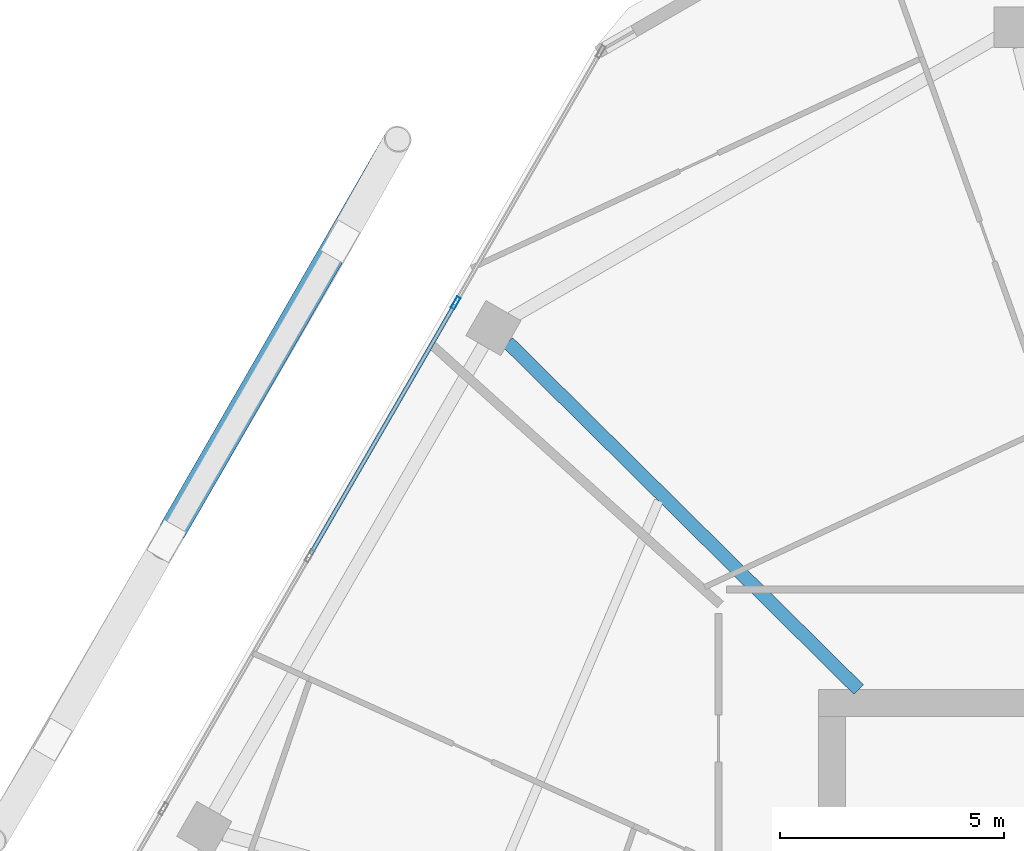
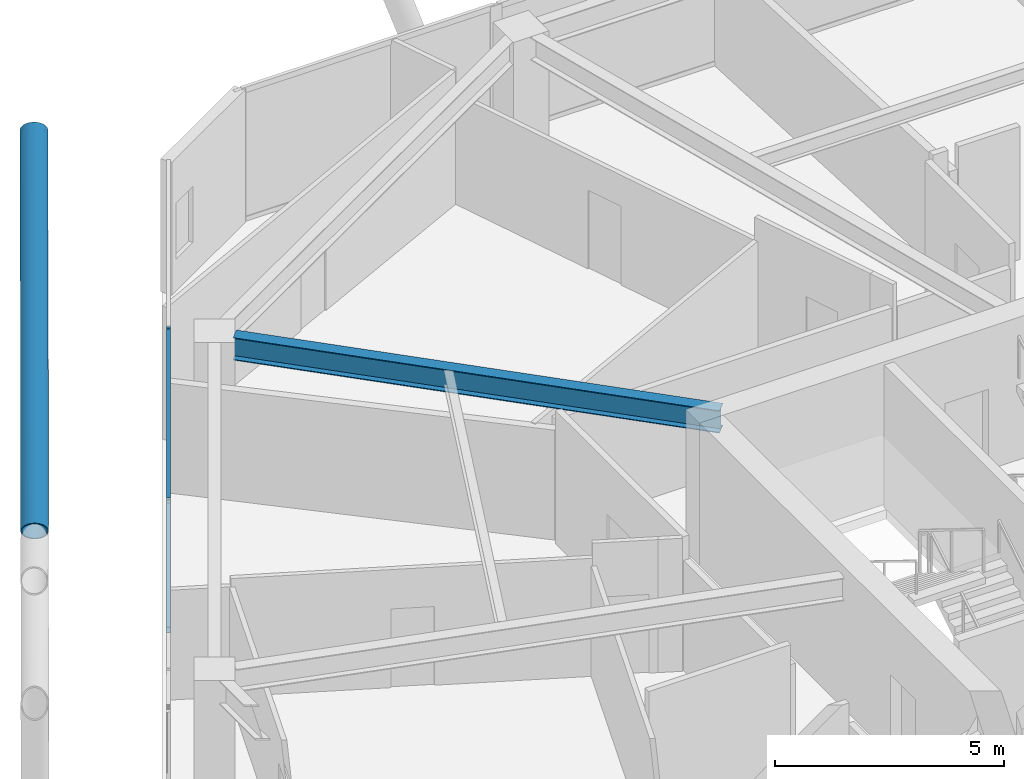
# One storey, part 13 of 27: 4 members, 1 beam, 1 element without a shape of its own.
"""IFC4 building model written with IfcOpenShell, lengths in metres."""

from ifc_helpers import new_model, si_unit, direction, frame, origin, origin_2d, place, context, subcontext, project, spatial, hollow_rectangle, hollow_circle, i_section, extrude, material, material_profile, profile_set, type_object, element, aggregate, save


model = new_model("IFC4")

# Units and contexts
model_context = context("Model", 3, precision=1e-05, world=origin(), true_north=direction((0.0, 1.0)))
body_context = subcontext(model_context, "Body", "Model", "MODEL_VIEW")
ifc_project = project(units=[si_unit("LENGTHUNIT", "METRE"), si_unit("AREAUNIT", "SQUARE_METRE"), si_unit("VOLUMEUNIT", "CUBIC_METRE"), si_unit("PLANEANGLEUNIT", "RADIAN"), si_unit("MASSUNIT", "GRAM", prefix="KILO")], contexts=[model_context])

# Site, building, storey
site_placement = place(None, origin())
site = spatial("IfcSite", under=ifc_project, at=site_placement, CompositionType="ELEMENT")
building_placement = place(site_placement, origin())
building = spatial("IfcBuilding", under=site, at=building_placement, Name="Zuhravey Tower", CompositionType="ELEMENT")
storey_placement = place(building_placement, frame((0.0, 0.0, 238.800048828125)))
storey = spatial("IfcBuildingStorey", under=building, at=storey_placement, Name="L60", CompositionType="ELEMENT", Elevation=238.800048828125)

# Curtain wall, members
ifc_material_1 = material(Name="Thermally broken anodised aluminium", Category="aluminium")
curtain_wall_type = type_object("IfcCurtainWallType", Name="Zone 3-4 High-Rise Curtain Wall CW4", PredefinedType="NOTDEFINED", material=ifc_material_1)
curtain_wall_placement = place(storey_placement, origin())
curtain_wall = element("IfcCurtainWall", 1, at=curtain_wall_placement, inside=storey, type_object=curtain_wall_type, Name="L60 CW4 CW-L60-F3-1", PredefinedType="NOTDEFINED")
ifc_material_2 = material(Name="Anodised aluminium", Category="aluminium")
ifc_material_profile_1 = material_profile(ifc_material_2, hollow_rectangle(XDim=0.090087890625, YDim=0.284912109375, WallThickness=0.0048828125, at=origin_2d()), Name="ALU-RHS-90x285x5")
ifc_profile_set_1 = profile_set([ifc_material_profile_1], Name="Anodised aluminium")
member_type_1 = type_object("IfcMemberType", Name="Curtain-Wall Mullion 90x180", PredefinedType="MULLION", material=ifc_profile_set_1)
member_1_placement = place(storey_placement, frame((17.114501953125, 50.41650390625, 0.0), z_axis=(0.0, 0.0, 1.0), x_axis=(-0.866024851021, 0.500000957414, 0.0)))
member_1 = element("IfcMember", 2, at=member_1_placement, type_object=member_type_1, Name="CW4 mullion 4", PredefinedType="MULLION", context=body_context, shape_type="SweptSolid", body=[
    extrude(hollow_rectangle(XDim=0.090087890625, YDim=0.284912109375, WallThickness=0.0048828125, at=origin_2d()), origin(), (0.0, 0.0, 1.0), 3.550048828125),
])
ifc_material_profile_2 = material_profile(ifc_material_2, hollow_rectangle(XDim=0.090087890625, YDim=0.14990234375, WallThickness=0.0048828125, at=origin_2d()), Name="ALU-RHS-90x150x5")
ifc_profile_set_2 = profile_set([ifc_material_profile_2], Name="Anodised aluminium")
member_type_2 = type_object("IfcMemberType", Name="Curtain-Wall Transom 90x150", PredefinedType="USERDEFINED", material=ifc_profile_set_2)
member_2_placement = place(storey_placement, frame((13.8837890625, 44.82080078125, 0.044921875), z_axis=(0.500014493347, 0.866017035885, 0.0), x_axis=(-0.866017035885, 0.500014493347, 0.0)))
member_2 = element("IfcMember", 3, at=member_2_placement, type_object=member_type_2, Name="CW4 transom 3.1", ObjectType="TRANSOM", PredefinedType="USERDEFINED", context=body_context, shape_type="SweptSolid", body=[
    extrude(hollow_rectangle(XDim=0.090087890625, YDim=0.14990234375, WallThickness=0.0048828125, at=origin_2d()), origin(), (0.0, 0.0, 1.0), 6.416259765625),
])
member_3_placement = place(storey_placement, frame((13.8837890625, 44.82080078125, 3.5048828125), z_axis=(0.500014493347, 0.866017035885, 0.0), x_axis=(-0.866017035885, 0.500014493347, 0.0)))
member_3 = element("IfcMember", 4, at=member_3_placement, type_object=member_type_2, Name="CW4 transom 3.2", ObjectType="TRANSOM", PredefinedType="USERDEFINED", context=body_context, shape_type="SweptSolid", body=[
    extrude(hollow_rectangle(XDim=0.090087890625, YDim=0.14990234375, WallThickness=0.0048828125, at=origin_2d()), origin(), (0.0, 0.0, 1.0), 6.416259765625),
])
aggregate(curtain_wall, [member_1, member_2, member_3])

# Member
ifc_material_3 = material(Name="Steel SM355", Category="steel")
ifc_material_profile_3 = material_profile(ifc_material_3, hollow_circle(Radius=0.3046875, WallThickness=0.028076171875, at=origin_2d()), Name="CHS-609.6x28")
ifc_profile_set_3 = profile_set([ifc_material_profile_3], Name="Steel SM355")
member_type_3 = type_object("IfcMemberType", Name="Exoskeleton Zone 3 Diagrid CHS610x28", PredefinedType="BRACE", material=ifc_profile_set_3)
member_4_placement = place(storey_placement, frame((10.81103515625, 45.349365234375, 3.437744140625), z_axis=(0.468129739934, 0.813546302607, 0.344959360075), x_axis=(-0.866749444862, 0.498743821847, 0.0)))
element("IfcMember", 5, at=member_4_placement, inside=storey, type_object=member_type_3, Name="L60 Face 3 Split Diagrid Brace 3B", PredefinedType="BRACE", context=body_context, shape_type="SweptSolid", body=[
    extrude(hollow_circle(Radius=0.3046875, WallThickness=0.028076171875, at=origin_2d()), origin(), (0.0, 0.0, 1.0), 10.6796875),
])

# Beam
ifc_material_profile_4 = material_profile(ifc_material_3, i_section(OverallWidth=0.300048828125, OverallDepth=0.60009765625, WebThickness=0.011962890625, FlangeThickness=0.02001953125, at=origin_2d()), Name="H-600x300x12x20")
ifc_profile_set_4 = profile_set([ifc_material_profile_4], Name="Steel SM355")
beam_type = type_object("IfcBeamType", Name="Radial Primary Girder H600x300", PredefinedType="BEAM", material=ifc_profile_set_4)
beam_placement = place(storey_placement, frame((26.09326171875, 41.802978515625, 3.25), z_axis=(-0.710816516282, 0.703377480576, 0.0), x_axis=(-0.703377480576, -0.710816516282, 0.0)))
element("IfcBeam", 6, at=beam_placement, inside=storey, type_object=beam_type, Name="L60 RG3 BM-L60-RAD-05", PredefinedType="BEAM", context=body_context, shape_type="SweptSolid", body=[
    extrude(i_section(OverallWidth=0.300048828125, OverallDepth=0.60009765625, WebThickness=0.011962890625, FlangeThickness=0.02001953125, at=origin_2d()), origin(), (0.0, 0.0, 1.0), 10.994384765625),
])

save(model, "model.ifc")
